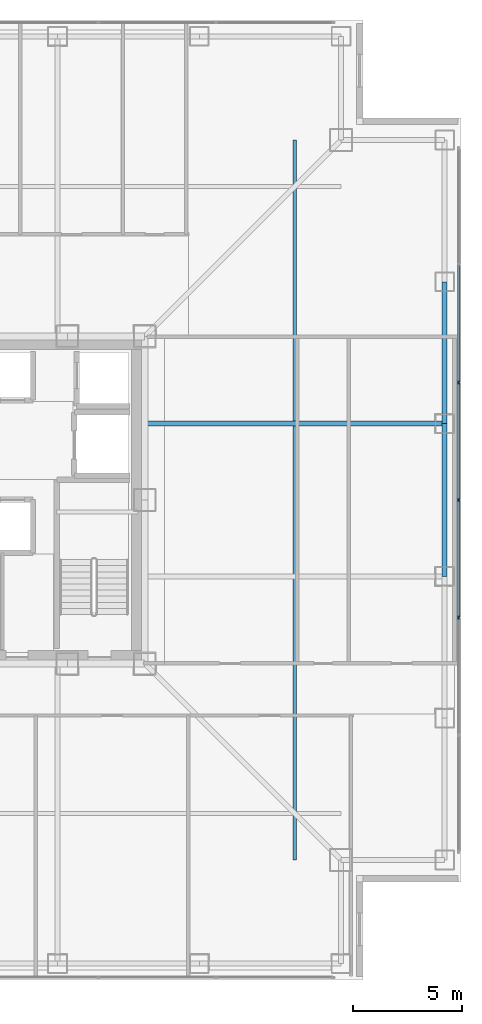
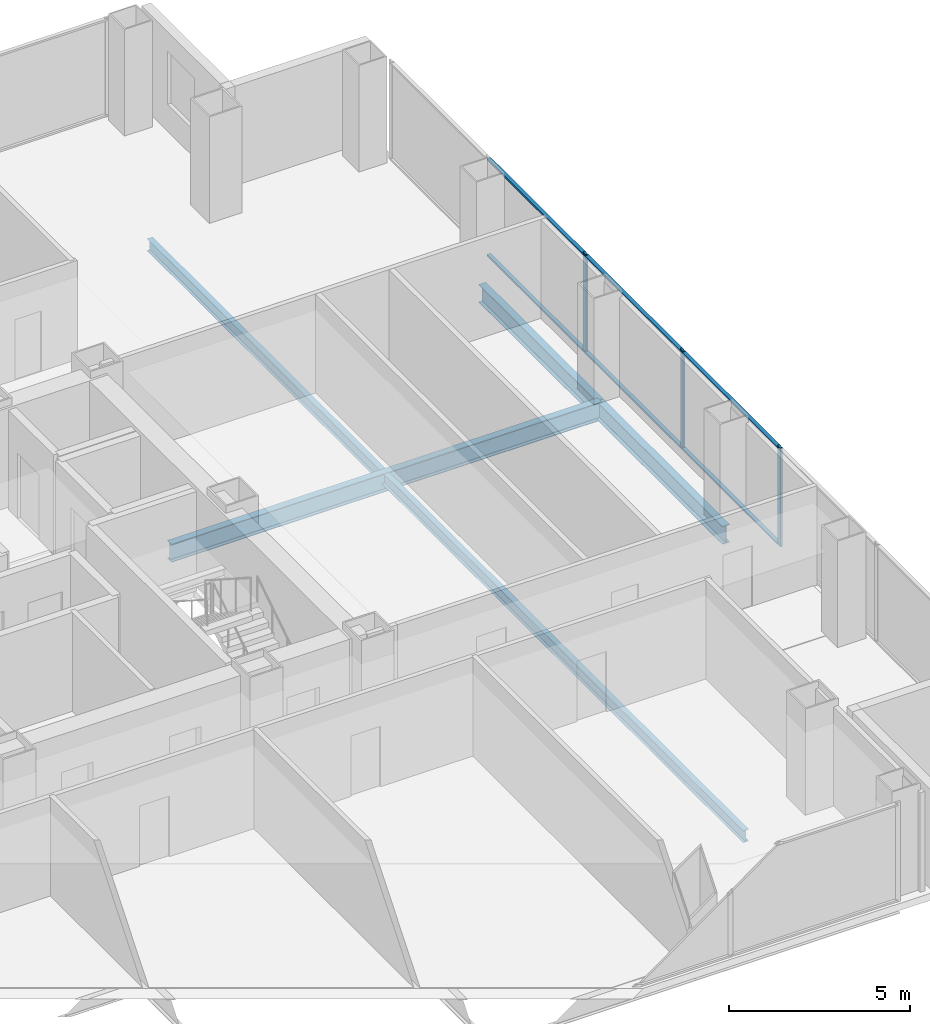
# One storey, part 8 of 17: 9 members, 4 beams, 1 element without a shape of its own.
"""IFC4 building model written with IfcOpenShell, lengths in metres."""

from ifc_helpers import new_model, si_unit, direction, frame, origin, origin_2d, place, context, subcontext, project, spatial, rectangle, i_section, extrude, material, layer, layer_set, material_profile, profile_set, type_object, element, aggregate, save


model = new_model("IFC4")

# Units and contexts
model_context = context("Model", 3, precision=1e-05, world=origin(), true_north=direction((0.0, 1.0)))
body_context = subcontext(model_context, "Body", "Model", "MODEL_VIEW")
ifc_project = project(units=[si_unit("LENGTHUNIT", "METRE"), si_unit("AREAUNIT", "SQUARE_METRE"), si_unit("VOLUMEUNIT", "CUBIC_METRE"), si_unit("PLANEANGLEUNIT", "RADIAN"), si_unit("MASSUNIT", "GRAM", prefix="KILO")], contexts=[model_context])

# Site, building, storey
site_placement = place(None, origin())
site = spatial("IfcSite", under=ifc_project, at=site_placement, CompositionType="ELEMENT")
building_placement = place(site_placement, origin())
building = spatial("IfcBuilding", under=site, at=building_placement, Name="Trevonay Congress Spire", CompositionType="ELEMENT")
storey_placement = place(building_placement, frame((0.0, 0.0, 108.39990234375)))
storey = spatial("IfcBuildingStorey", under=building, at=storey_placement, Name="L27", CompositionType="ELEMENT", Elevation=108.39990234375)

# Beams
ifc_material_1 = material(Name="Steel ASTM A572 Grade 50", Category="steel")
ifc_material_profile_1 = material_profile(ifc_material_1, i_section(OverallWidth=0.22998046875, OverallDepth=0.616943359375, WebThickness=0.01318359375, FlangeThickness=0.022216796875, FilletRadius=0.01611328125, at=origin_2d()), Name="W610x140")
ifc_profile_set_1 = profile_set([ifc_material_profile_1], Name="Steel ASTM A572 Grade 50")
beam_type_1 = type_object("IfcBeamType", Name="BM-GIRD-W610X140", PredefinedType="BEAM", material=ifc_profile_set_1)
beam_1_placement = place(storey_placement, frame((7.5, 3.5, -0.54833984375), z_axis=(1.0, 0.0, 0.0), x_axis=(0.0, 1.0, 0.0)))
element("IfcBeam", 1, at=beam_1_placement, inside=storey, type_object=beam_type_1, Name="L27 structural beam BM-L27-GE-P", PredefinedType="BEAM", context=body_context, shape_type="SweptSolid", body=[
    extrude(i_section(OverallWidth=0.22998046875, OverallDepth=0.616943359375, WebThickness=0.01318359375, FlangeThickness=0.022216796875, FilletRadius=0.01611328125, at=origin_2d()), origin(), (0.0, 0.0, 1.0), 13.75),
])
ifc_material_profile_2 = material_profile(ifc_material_1, i_section(OverallWidth=0.22802734375, OverallDepth=0.60791015625, WebThickness=0.01123046875, FlangeThickness=0.017333984375, FilletRadius=0.01611328125, at=origin_2d()), Name="W610x113")
ifc_profile_set_2 = profile_set([ifc_material_profile_2], Name="Steel ASTM A572 Grade 50")
beam_type_2 = type_object("IfcBeamType", Name="BM-RING-W610X113", PredefinedType="BEAM", material=ifc_profile_set_2)
beam_2_placement = place(storey_placement, frame((21.25, -3.5, -0.5439453125), z_axis=(0.0, 1.0, 0.0), x_axis=(-1.0, 0.0, 0.0)))
element("IfcBeam", 2, at=beam_2_placement, inside=storey, type_object=beam_type_2, Name="L27 structural beam BM-L27-PE3", PredefinedType="BEAM", context=body_context, shape_type="SweptSolid", body=[
    extrude(i_section(OverallWidth=0.22802734375, OverallDepth=0.60791015625, WebThickness=0.01123046875, FlangeThickness=0.017333984375, FilletRadius=0.01611328125, at=origin_2d()), origin(), (0.0, 0.0, 1.0), 7.0),
])
beam_3_placement = place(storey_placement, frame((21.25, 3.5, -0.5439453125), z_axis=(0.0, 1.0, 0.0), x_axis=(-1.0, 0.0, 0.0)))
element("IfcBeam", 3, at=beam_3_placement, inside=storey, type_object=beam_type_2, Name="L27 structural beam BM-L27-PE4", PredefinedType="BEAM", context=body_context, shape_type="SweptSolid", body=[
    extrude(i_section(OverallWidth=0.22802734375, OverallDepth=0.60791015625, WebThickness=0.01123046875, FlangeThickness=0.017333984375, FilletRadius=0.01611328125, at=origin_2d()), origin(), (0.0, 0.0, 1.0), 6.5),
])

# Curtain wall, members
ifc_material_2 = material(Name="Pale Anodised Aluminium EN AW-6063-T6", Category="aluminium")
ifc_layer = layer(ifc_material_2, 0.175048828125, Name="Pale Anodised Aluminium EN AW-6063-T6")
ifc_layer_set = layer_set([ifc_layer], Name="Pale Anodised Aluminium EN AW-6063-T6")
curtain_wall_type = type_object("IfcCurtainWallType", Name="CW-SYS03-CONGRESS-PALE-METAL", PredefinedType="NOTDEFINED", material=ifc_layer_set)
curtain_wall_placement = place(storey_placement, origin())
curtain_wall = element("IfcCurtainWall", 4, at=curtain_wall_placement, inside=storey, type_object=curtain_wall_type, Name="L27 E unitised curtain wall", PredefinedType="NOTDEFINED")
ifc_material_profile_3 = material_profile(ifc_material_2, rectangle(XDim=0.06005859375, YDim=0.159912109375, at=origin_2d()), Name="CW-MULLION-160-ALUMINIUM")
ifc_profile_set_3 = profile_set([ifc_material_profile_3], Name="Pale Anodised Aluminium EN AW-6063-T6")
member_type_1 = type_object("IfcMemberType", Name="CW-MULLION-160-ALUMINIUM", PredefinedType="MULLION", material=ifc_profile_set_3)
member_1_placement = place(storey_placement, frame((21.8798828125, -5.38330078125, 0.0), z_axis=(0.0, 0.0, 1.0), x_axis=(-1.0, 0.0, 0.0)))
member_1 = element("IfcMember", 5, at=member_1_placement, type_object=member_type_1, Name="CW03 mullion 3", PredefinedType="MULLION", context=body_context, shape_type="SweptSolid", body=[
    extrude(rectangle(XDim=0.06005859375, YDim=0.159912109375, at=origin_2d()), origin(), (0.0, 0.0, 1.0), 3.360107421875),
])
member_2_placement = place(storey_placement, frame((21.8798828125, 0.0, 0.0), z_axis=(0.0, 0.0, 1.0), x_axis=(-1.0, 0.0, 0.0)))
member_2 = element("IfcMember", 6, at=member_2_placement, type_object=member_type_1, Name="CW03 mullion 4", PredefinedType="MULLION", context=body_context, shape_type="SweptSolid", body=[
    extrude(rectangle(XDim=0.06005859375, YDim=0.159912109375, at=origin_2d()), origin(), (0.0, 0.0, 1.0), 3.360107421875),
])
member_3_placement = place(storey_placement, frame((21.8798828125, 5.38330078125, 0.0), z_axis=(0.0, 0.0, 1.0), x_axis=(-1.0, 0.0, 0.0)))
member_3 = element("IfcMember", 7, at=member_3_placement, type_object=member_type_1, Name="CW03 mullion 5", PredefinedType="MULLION", context=body_context, shape_type="SweptSolid", body=[
    extrude(rectangle(XDim=0.06005859375, YDim=0.159912109375, at=origin_2d()), origin(), (0.0, 0.0, 1.0), 3.360107421875),
])
ifc_material_profile_4 = material_profile(ifc_material_2, rectangle(XDim=0.1201171875, YDim=0.06005859375, at=origin_2d()), Name="CW-TRANSOM-120-ALUMINIUM")
ifc_profile_set_4 = profile_set([ifc_material_profile_4], Name="Pale Anodised Aluminium EN AW-6063-T6")
member_type_2 = type_object("IfcMemberType", Name="CW-TRANSOM-120-ALUMINIUM", PredefinedType="USERDEFINED", material=ifc_profile_set_4)
member_4_placement = place(storey_placement, frame((21.8798828125, -5.353271484375, 0.06005859375), z_axis=(0.0, 1.0, 0.0), x_axis=(-1.0, 0.0, 0.0)))
member_4 = element("IfcMember", 8, at=member_4_placement, type_object=member_type_2, Name="CW03 transom 3.1", ObjectType="TRANSOM", PredefinedType="USERDEFINED", context=body_context, shape_type="SweptSolid", body=[
    extrude(rectangle(XDim=0.1201171875, YDim=0.06005859375, at=origin_2d()), origin(), (0.0, 0.0, 1.0), 5.3232421875),
])
member_5_placement = place(storey_placement, frame((21.8798828125, -5.353271484375, 3.300048828125), z_axis=(0.0, 1.0, 0.0), x_axis=(-1.0, 0.0, 0.0)))
member_5 = element("IfcMember", 9, at=member_5_placement, type_object=member_type_2, Name="CW03 transom 3.2", ObjectType="TRANSOM", PredefinedType="USERDEFINED", context=body_context, shape_type="SweptSolid", body=[
    extrude(rectangle(XDim=0.1201171875, YDim=0.06005859375, at=origin_2d()), origin(), (0.0, 0.0, 1.0), 5.3232421875),
])
member_6_placement = place(storey_placement, frame((21.8798828125, 0.030029296875, 0.06005859375), z_axis=(0.0, 1.0, 0.0), x_axis=(-1.0, 0.0, 0.0)))
member_6 = element("IfcMember", 10, at=member_6_placement, type_object=member_type_2, Name="CW03 transom 4.1", ObjectType="TRANSOM", PredefinedType="USERDEFINED", context=body_context, shape_type="SweptSolid", body=[
    extrude(rectangle(XDim=0.1201171875, YDim=0.06005859375, at=origin_2d()), origin(), (0.0, 0.0, 1.0), 5.3232421875),
])
member_7_placement = place(storey_placement, frame((21.8798828125, 0.030029296875, 3.300048828125), z_axis=(0.0, 1.0, 0.0), x_axis=(-1.0, 0.0, 0.0)))
member_7 = element("IfcMember", 11, at=member_7_placement, type_object=member_type_2, Name="CW03 transom 4.2", ObjectType="TRANSOM", PredefinedType="USERDEFINED", context=body_context, shape_type="SweptSolid", body=[
    extrude(rectangle(XDim=0.1201171875, YDim=0.06005859375, at=origin_2d()), origin(), (0.0, 0.0, 1.0), 5.3232421875),
])
member_8_placement = place(storey_placement, frame((21.8798828125, 5.413330078125, 0.06005859375), z_axis=(0.0, 1.0, 0.0), x_axis=(-1.0, 0.0, 0.0)))
member_8 = element("IfcMember", 12, at=member_8_placement, type_object=member_type_2, Name="CW03 transom 5.1", ObjectType="TRANSOM", PredefinedType="USERDEFINED", context=body_context, shape_type="SweptSolid", body=[
    extrude(rectangle(XDim=0.1201171875, YDim=0.06005859375, at=origin_2d()), origin(), (0.0, 0.0, 1.0), 5.3232421875),
])
member_9_placement = place(storey_placement, frame((21.8798828125, 5.413330078125, 3.300048828125), z_axis=(0.0, 1.0, 0.0), x_axis=(-1.0, 0.0, 0.0)))
member_9 = element("IfcMember", 13, at=member_9_placement, type_object=member_type_2, Name="CW03 transom 5.2", ObjectType="TRANSOM", PredefinedType="USERDEFINED", context=body_context, shape_type="SweptSolid", body=[
    extrude(rectangle(XDim=0.1201171875, YDim=0.06005859375, at=origin_2d()), origin(), (0.0, 0.0, 1.0), 5.3232421875),
])
aggregate(curtain_wall, [member_1, member_2, member_3, member_4, member_5, member_6, member_7, member_8, member_9])

# Beam
ifc_material_profile_5 = material_profile(ifc_material_1, i_section(OverallWidth=0.177978515625, OverallDepth=0.406982421875, WebThickness=0.0078125, FlangeThickness=0.0126953125, FilletRadius=0.012939453125, at=origin_2d()), Name="W410x60")
ifc_profile_set_5 = profile_set([ifc_material_profile_5], Name="Steel ASTM A572 Grade 50")
beam_type_3 = type_object("IfcBeamType", Name="JS-COMP-W410X60", PredefinedType="JOIST", material=ifc_profile_set_5)
beam_4_placement = place(storey_placement, frame((14.375, -16.5, -0.443359375), z_axis=(0.0, 1.0, 0.0), x_axis=(-1.0, 0.0, 0.0)))
element("IfcBeam", 14, at=beam_4_placement, inside=storey, type_object=beam_type_3, Name="L27 structural beam JS-L27-RING-E", PredefinedType="JOIST", context=body_context, shape_type="SweptSolid", body=[
    extrude(i_section(OverallWidth=0.177978515625, OverallDepth=0.406982421875, WebThickness=0.0078125, FlangeThickness=0.0126953125, FilletRadius=0.012939453125, at=origin_2d()), origin(), (0.0, 0.0, 1.0), 33.0),
])

save(model, "model.ifc")
